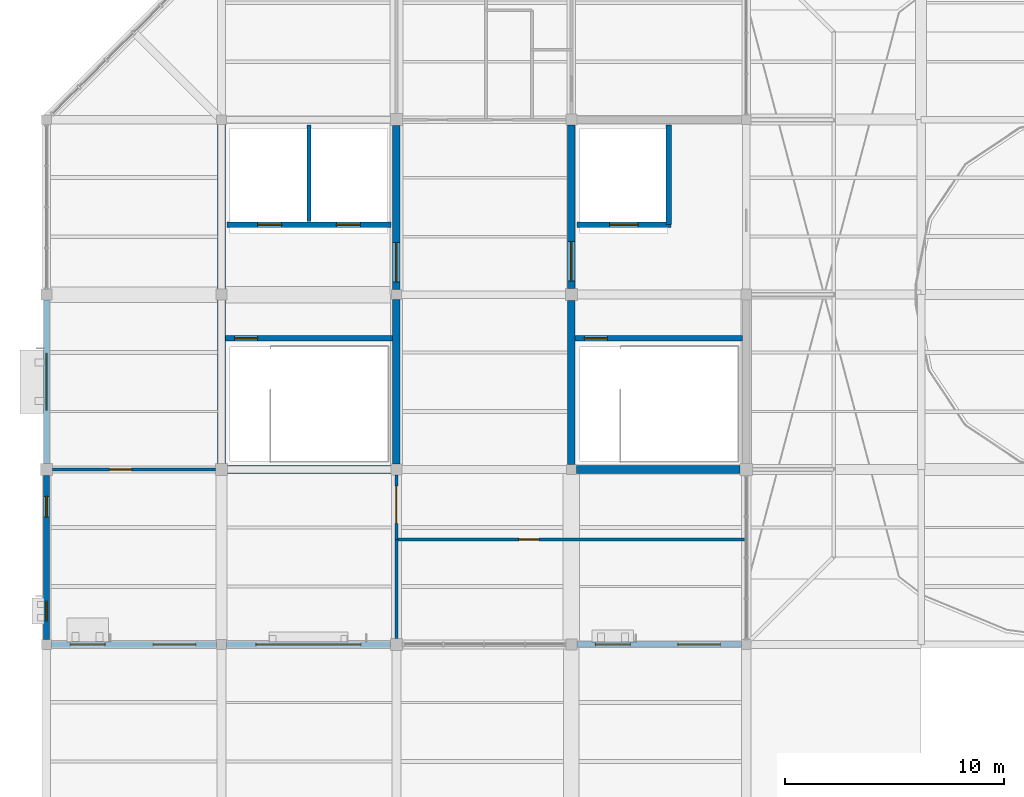
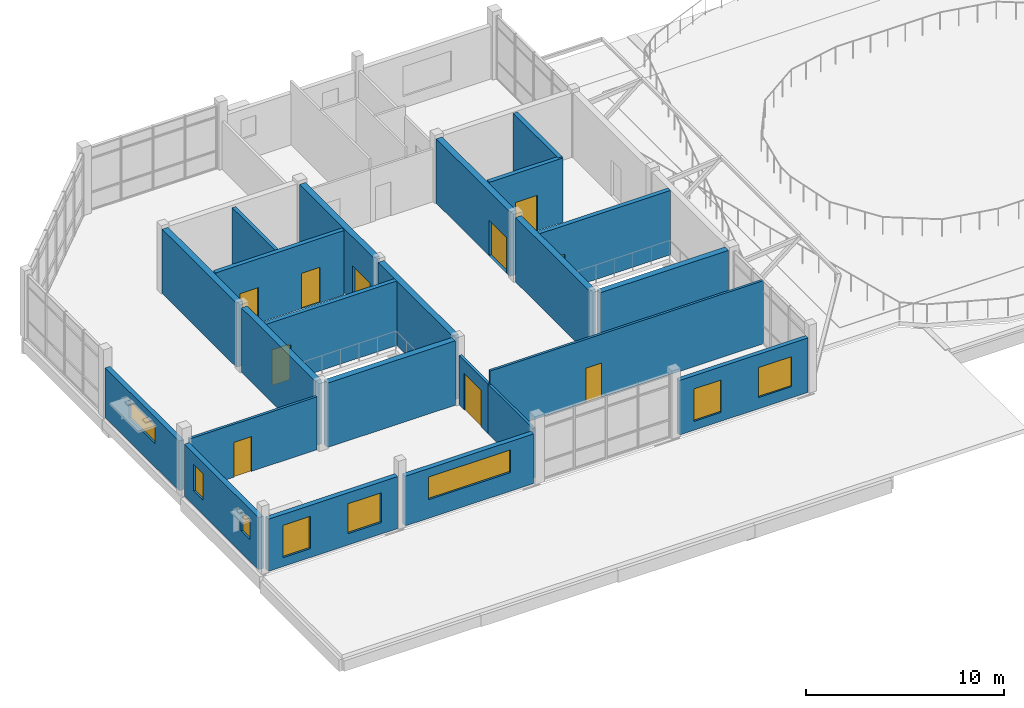
# One storey, part 39 of 44: 23 walls, 10 doors, 8 windows, 18 openings.
"""IFC4 building model written with IfcOpenShell, lengths in metres."""

from ifc_helpers import new_model, si_unit, direction, frame, frame_2d, origin, place, context, subcontext, project, spatial, rectangle, extrude, material, layer, layer_set, type_object, element, fill, save


model = new_model("IFC4")

# Units and contexts
model_context = context("Model", 3, precision=1e-05, world=origin(), true_north=direction((0.0, 1.0)))
body_context = subcontext(model_context, "Body", "Model", "MODEL_VIEW")
ifc_project = project(units=[si_unit("LENGTHUNIT", "METRE"), si_unit("AREAUNIT", "SQUARE_METRE"), si_unit("VOLUMEUNIT", "CUBIC_METRE"), si_unit("PLANEANGLEUNIT", "RADIAN"), si_unit("MASSUNIT", "GRAM", prefix="KILO")], contexts=[model_context])

# Site, building, storey
site_placement = place(None, origin())
site = spatial("IfcSite", under=ifc_project, at=site_placement, CompositionType="ELEMENT")
building_placement = place(site_placement, origin())
building = spatial("IfcBuilding", under=site, at=building_placement, Name="Tenunan Teduh Sports Hall", CompositionType="ELEMENT")
storey_placement = place(building_placement, frame((0.0, 0.0, 19.199951171875)))
storey = spatial("IfcBuildingStorey", under=building, at=storey_placement, Name="L04", CompositionType="ELEMENT", Elevation=19.199951171875)

# Wall, opening, door
ifc_material_1 = material(Name="Concrete C40/50", Category="concrete")
ifc_layer_1 = layer(ifc_material_1, 0.25)
ifc_layer_set_1 = layer_set([ifc_layer_1], Name="Concrete C40/50")
wall_type_1 = type_object("IfcWallType", Name="WL-COR-250", PredefinedType="SOLIDWALL", material=ifc_layer_set_1)
wall_1_placement = place(storey_placement, frame((14.175048828125, 100.0, 0.0), z_axis=(0.0, 0.0, 1.0), x_axis=(1.0, 0.0, 0.0)))
wall_1 = element("IfcWall", 1, at=wall_1_placement, inside=storey, type_object=wall_type_1, Name="WL-COR-L04-052", PredefinedType="SOLIDWALL", context=body_context, shape_type="SweptSolid", body=[
    extrude(rectangle(XDim=7.64990234375, YDim=0.25, at=frame_2d((3.824951171875, 0.0))), origin(), (0.0, 0.0, 1.0), 3.97998046875),
])
opening_1_placement = place(wall_1_placement, frame((0.425048828125, 0.0, 0.0)))
opening_1 = element("IfcOpeningElement", 2, at=opening_1_placement, cuts=wall_1, Name="Opening FD-02", PredefinedType="OPENING", context=body_context, shape_type="SweptSolid", body=[
    extrude(rectangle(XDim=1.050048828125, YDim=2.199951171875, at=frame_2d((0.52490234375, 1.10009765625))), frame((0.0, 0.135009765625, 0.0), z_axis=(0.0, -1.0, 0.0), x_axis=(1.0, 0.0, 0.0)), (0.0, 0.0, 1.0), 0.27001953125),
])
ifc_material_2 = material(Name="Fire-rated steel leaf and frame", Category="steel")
door_type_1 = type_object("IfcDoorType", Name="FDR-02", OperationType="SINGLE_SWING_RIGHT", PredefinedType="DOOR", material=ifc_material_2)
door_1_placement = place(opening_1_placement, frame((1.050048828125, 0.0, 0.0), z_axis=(0.0, 0.0, 1.0), x_axis=(-1.0, 0.0, 0.0)))
door_1 = element("IfcDoor", 3, at=door_1_placement, inside=storey, type_object=door_type_1, Name="DR-INT-L04-022", OperationType="SINGLE_SWING_RIGHT", OverallHeight=2.199951171875, OverallWidth=1.050048828125, PredefinedType="DOOR", context=body_context, shape_type="SweptSolid", body=[
    extrude(rectangle(XDim=1.050048828125, YDim=2.199951171875, at=frame_2d((0.52490234375, 1.10009765625))), frame((0.0, 0.02490234375, 0.0), z_axis=(0.0, -1.0, 0.0), x_axis=(1.0, 0.0, 0.0)), (0.0, 0.0, 1.0), 0.050048828125),
])
fill(opening_1, door_1)

# Wall, openings, doors
wall_2_placement = place(storey_placement, frame((14.25, 105.199951171875, 0.0), z_axis=(0.0, 0.0, 1.0), x_axis=(1.0, 0.0, 0.0)))
wall_2 = element("IfcWall", 4, at=wall_2_placement, inside=storey, type_object=wall_type_1, Name="WL-COR-L04-053", PredefinedType="SOLIDWALL", context=body_context, shape_type="SweptSolid", body=[
    extrude(rectangle(XDim=7.5, YDim=0.25, at=frame_2d((3.75, 0.0))), origin(), (0.0, 0.0, 1.0), 3.97998046875),
])
opening_2_placement = place(wall_2_placement, frame((1.39990234375, 0.0, 0.0)))
opening_2 = element("IfcOpeningElement", 5, at=opening_2_placement, cuts=wall_2, Name="Opening LD-1", PredefinedType="OPENING", context=body_context, shape_type="SweptSolid", body=[
    extrude(rectangle(XDim=1.10009765625, YDim=2.199951171875, at=frame_2d((0.550048828125, 1.10009765625))), frame((0.0, 0.135009765625, 0.0), z_axis=(0.0, -1.0, 0.0), x_axis=(1.0, 0.0, 0.0)), (0.0, 0.0, 1.0), 0.27001953125),
])
opening_3_placement = place(wall_2_placement, frame((5.0, 0.0, 0.0)))
opening_3 = element("IfcOpeningElement", 6, at=opening_3_placement, cuts=wall_2, Name="Opening LD-1", PredefinedType="OPENING", context=body_context, shape_type="SweptSolid", body=[
    extrude(rectangle(XDim=1.10009765625, YDim=2.199951171875, at=frame_2d((0.550048828125, 1.10009765625))), frame((0.0, 0.135009765625, 0.0), z_axis=(0.0, -1.0, 0.0), x_axis=(1.0, 0.0, 0.0)), (0.0, 0.0, 1.0), 0.27001953125),
])
ifc_material_3 = material(Name="Brushed stainless steel landing doors", Category="steel")
door_type_2 = type_object("IfcDoorType", Name="LDR-01", OperationType="DOUBLE_DOOR_SLIDING", PredefinedType="DOOR", material=ifc_material_3)
door_2_placement = place(opening_2_placement, origin())
door_2 = element("IfcDoor", 7, at=door_2_placement, inside=storey, type_object=door_type_2, Name="Lift Landing Door LD-11", OperationType="DOUBLE_DOOR_SLIDING", OverallHeight=2.199951171875, OverallWidth=1.10009765625, PredefinedType="DOOR", context=body_context, shape_type="SweptSolid", body=[
    extrude(rectangle(XDim=1.10009765625, YDim=2.199951171875, at=frame_2d((0.550048828125, 1.10009765625))), frame((0.0, 0.02490234375, 0.0), z_axis=(0.0, -1.0, 0.0), x_axis=(1.0, 0.0, 0.0)), (0.0, 0.0, 1.0), 0.050048828125),
])
fill(opening_2, door_2)
door_3_placement = place(opening_3_placement, origin())
door_3 = element("IfcDoor", 8, at=door_3_placement, inside=storey, type_object=door_type_2, Name="Lift Landing Door LD-12", OperationType="DOUBLE_DOOR_SLIDING", OverallHeight=2.199951171875, OverallWidth=1.10009765625, PredefinedType="DOOR", context=body_context, shape_type="SweptSolid", body=[
    extrude(rectangle(XDim=1.10009765625, YDim=2.199951171875, at=frame_2d((0.550048828125, 1.10009765625))), frame((0.0, 0.02490234375, 0.0), z_axis=(0.0, -1.0, 0.0), x_axis=(1.0, 0.0, 0.0)), (0.0, 0.0, 1.0), 0.050048828125),
])
fill(opening_3, door_3)

# Wall, opening, door
wall_3_placement = place(storey_placement, frame((30.175048828125, 100.0, 0.0), z_axis=(0.0, 0.0, 1.0), x_axis=(1.0, 0.0, 0.0)))
wall_3 = element("IfcWall", 9, at=wall_3_placement, inside=storey, type_object=wall_type_1, Name="WL-COR-L04-106", PredefinedType="SOLIDWALL", context=body_context, shape_type="SweptSolid", body=[
    extrude(rectangle(XDim=7.64990234375, YDim=0.25, at=frame_2d((3.824951171875, 0.0))), origin(), (0.0, 0.0, 1.0), 3.97998046875),
])
opening_4_placement = place(wall_3_placement, frame((0.425048828125, 0.0, 0.0)))
opening_4 = element("IfcOpeningElement", 10, at=opening_4_placement, cuts=wall_3, Name="Opening FD-02", PredefinedType="OPENING", context=body_context, shape_type="SweptSolid", body=[
    extrude(rectangle(XDim=1.050048828125, YDim=2.199951171875, at=frame_2d((0.52490234375, 1.10009765625))), frame((0.0, 0.135009765625, 0.0), z_axis=(0.0, -1.0, 0.0), x_axis=(1.0, 0.0, 0.0)), (0.0, 0.0, 1.0), 0.27001953125),
])
door_4_placement = place(opening_4_placement, frame((1.050048828125, 0.0, 0.0), z_axis=(0.0, 0.0, 1.0), x_axis=(-1.0, 0.0, 0.0)))
door_4 = element("IfcDoor", 11, at=door_4_placement, inside=storey, type_object=door_type_1, Name="DR-INT-L04-042", OperationType="SINGLE_SWING_RIGHT", OverallHeight=2.199951171875, OverallWidth=1.050048828125, PredefinedType="DOOR", context=body_context, shape_type="SweptSolid", body=[
    extrude(rectangle(XDim=1.050048828125, YDim=2.199951171875, at=frame_2d((0.52490234375, 1.10009765625))), frame((0.0, 0.02490234375, 0.0), z_axis=(0.0, -1.0, 0.0), x_axis=(1.0, 0.0, 0.0)), (0.0, 0.0, 1.0), 0.050048828125),
])
fill(opening_4, door_4)

wall_4_placement = place(storey_placement, frame((30.25, 105.199951171875, 0.0), z_axis=(0.0, 0.0, 1.0), x_axis=(1.0, 0.0, 0.0)))
wall_4 = element("IfcWall", 12, at=wall_4_placement, inside=storey, type_object=wall_type_1, Name="WL-COR-L04-107", PredefinedType="SOLIDWALL", context=body_context, shape_type="SweptSolid", body=[
    extrude(rectangle(XDim=4.300048828125, YDim=0.25, at=frame_2d((2.14990234375, 0.0))), origin(), (0.0, 0.0, 1.0), 3.97998046875),
])
opening_5_placement = place(wall_4_placement, frame((1.5, 0.0, 0.0)))
opening_5 = element("IfcOpeningElement", 13, at=opening_5_placement, cuts=wall_4, Name="Opening LD-2", PredefinedType="OPENING", context=body_context, shape_type="SweptSolid", body=[
    extrude(rectangle(XDim=1.300048828125, YDim=2.199951171875, at=frame_2d((0.64990234375, 1.10009765625))), frame((0.0, 0.135009765625, 0.0), z_axis=(0.0, -1.0, 0.0), x_axis=(1.0, 0.0, 0.0)), (0.0, 0.0, 1.0), 0.27001953125),
])
ifc_material_4 = material(Name="Fire-fighting lift stainless landing doors")
door_type_3 = type_object("IfcDoorType", Name="LDR-02", OperationType="DOUBLE_DOOR_SLIDING", PredefinedType="DOOR", material=ifc_material_4)
door_5_placement = place(opening_5_placement, origin())
door_5 = element("IfcDoor", 14, at=door_5_placement, inside=storey, type_object=door_type_3, Name="Lift Landing Door LD-18", OperationType="DOUBLE_DOOR_SLIDING", OverallHeight=2.199951171875, OverallWidth=1.300048828125, PredefinedType="DOOR", context=body_context, shape_type="SweptSolid", body=[
    extrude(rectangle(XDim=1.300048828125, YDim=2.199951171875, at=frame_2d((0.64990234375, 1.10009765625))), frame((0.0, 0.02490234375, 0.0), z_axis=(0.0, -1.0, 0.0), x_axis=(1.0, 0.0, 0.0)), (0.0, 0.0, 1.0), 0.050048828125),
])
fill(opening_5, door_5)

# Wall
wall_5_placement = place(storey_placement, frame((34.449951171875, 105.199951171875, 0.0), z_axis=(0.0, 0.0, 1.0), x_axis=(0.0, 1.0, 0.0)))
element("IfcWall", 15, at=wall_5_placement, inside=storey, type_object=wall_type_1, Name="WL-COR-L04-108", PredefinedType="SOLIDWALL", context=body_context, shape_type="SweptSolid", body=[
    extrude(rectangle(XDim=4.550048828125, YDim=0.25, at=frame_2d((2.27490234375, 0.0))), origin(), (0.0, 0.0, 1.0), 3.97998046875),
])

# Wall, openings, windows
ifc_material_5 = material(Name="Precast concrete C40/50", Category="concrete")
ifc_layer_2 = layer(ifc_material_5, 0.25)
ifc_layer_set_2 = layer_set([ifc_layer_2], Name="Precast concrete C40/50")
wall_type_2 = type_object("IfcWallType", Name="WL-EXT-250", PredefinedType="SOLIDWALL", material=ifc_layer_set_2)
wall_6_placement = place(storey_placement, frame((30.25, 86.0, 0.0), z_axis=(0.0, 0.0, 1.0), x_axis=(1.0, 0.0, 0.0)))
wall_6 = element("IfcWall", 16, at=wall_6_placement, inside=storey, type_object=wall_type_2, Name="WL-EXT-L04-210", PredefinedType="SOLIDWALL", context=body_context, shape_type="SweptSolid", body=[
    extrude(rectangle(XDim=7.52490234375, YDim=0.25, at=frame_2d((3.762451171875, 0.0))), origin(), (0.0, 0.0, 1.0), 3.3701171875),
])
opening_6_placement = place(wall_6_placement, frame((0.85009765625, 0.0, 0.550048828125)))
opening_6 = element("IfcOpeningElement", 17, at=opening_6_placement, cuts=wall_6, Name="Opening W-14", PredefinedType="OPENING", context=body_context, shape_type="SweptSolid", body=[
    extrude(rectangle(XDim=1.60009765625, YDim=2.0, at=frame_2d((0.800048828125, 1.0))), frame((0.0, 0.135009765625, 0.0), z_axis=(0.0, -1.0, 0.0), x_axis=(1.0, 0.0, 0.0)), (0.0, 0.0, 1.0), 0.27001953125),
])
opening_7_placement = place(wall_6_placement, frame((4.6201171875, 0.0, 0.699951171875)))
opening_7 = element("IfcOpeningElement", 18, at=opening_7_placement, cuts=wall_6, Name="Opening W-20", PredefinedType="OPENING", context=body_context, shape_type="SweptSolid", body=[
    extrude(rectangle(XDim=1.949951171875, YDim=1.85009765625, at=frame_2d((0.97509765625, 0.925048828125))), frame((0.0, 0.135009765625, 0.0), z_axis=(0.0, -1.0, 0.0), x_axis=(1.0, 0.0, 0.0)), (0.0, 0.0, 1.0), 0.27001953125),
])
ifc_material_6 = material(Name="Thermally broken aluminium and Low-E glazing", Category="aluminium")
window_type_1 = type_object("IfcWindowType", Name="WIN-14", PartitioningType="DOUBLE_PANEL_VERTICAL", PredefinedType="WINDOW", material=ifc_material_6)
window_1_placement = place(opening_6_placement, origin())
window_1 = element("IfcWindow", 19, at=window_1_placement, inside=storey, type_object=window_type_1, Name="WIN-L04-111", OverallHeight=2.0, OverallWidth=1.60009765625, PartitioningType="SINGLE_PANEL", PredefinedType="WINDOW", context=body_context, shape_type="SweptSolid", body=[
    extrude(rectangle(XDim=1.60009765625, YDim=2.0, at=frame_2d((0.800048828125, 1.0))), frame((0.0, 0.030029296875, 0.0), z_axis=(0.0, -1.0, 0.0), x_axis=(1.0, 0.0, 0.0)), (0.0, 0.0, 1.0), 0.06005859375),
])
fill(opening_6, window_1)
ifc_material_7 = material(Name="Thermally broken aluminium and Low-E glazing", Category="aluminium")
window_type_2 = type_object("IfcWindowType", Name="WIN-20", PartitioningType="DOUBLE_PANEL_VERTICAL", PredefinedType="WINDOW", material=ifc_material_7)
window_2_placement = place(opening_7_placement, origin())
window_2 = element("IfcWindow", 20, at=window_2_placement, inside=storey, type_object=window_type_2, Name="WIN-L04-112", OverallHeight=1.85009765625, OverallWidth=1.949951171875, PartitioningType="SINGLE_PANEL", PredefinedType="WINDOW", context=body_context, shape_type="SweptSolid", body=[
    extrude(rectangle(XDim=1.949951171875, YDim=1.85009765625, at=frame_2d((0.97509765625, 0.925048828125))), frame((0.0, 0.030029296875, 0.0), z_axis=(0.0, -1.0, 0.0), x_axis=(1.0, 0.0, 0.0)), (0.0, 0.0, 1.0), 0.06005859375),
])
fill(opening_7, window_2)

# Wall, opening, window
ifc_material_8 = material(Name="Concrete C40/50", Category="concrete")
ifc_layer_3 = layer(ifc_material_8, 0.280029296875)
ifc_layer_set_3 = layer_set([ifc_layer_3], Name="Concrete C40/50")
wall_type_3 = type_object("IfcWallType", Name="WL-EXT-280", PredefinedType="SOLIDWALL", material=ifc_layer_set_3)
wall_7_placement = place(storey_placement, frame((14.22509765625, 86.0, 0.0), z_axis=(0.0, 0.0, 1.0), x_axis=(1.0, 0.0, 0.0)))
wall_7 = element("IfcWall", 21, at=wall_7_placement, inside=storey, type_object=wall_type_3, Name="WL-EXT-L04-209", PredefinedType="SOLIDWALL", context=body_context, shape_type="SweptSolid", body=[
    extrude(rectangle(XDim=7.5, YDim=0.280029296875, at=frame_2d((3.75, 0.0))), origin(), (0.0, 0.0, 1.0), 3.070068359375),
])
opening_8_placement = place(wall_7_placement, frame((1.35009765625, 0.0, 1.14990234375)))
opening_8 = element("IfcOpeningElement", 22, at=opening_8_placement, cuts=wall_7, Name="Opening W-12", PredefinedType="OPENING", context=body_context, shape_type="SweptSolid", body=[
    extrude(rectangle(XDim=4.800048828125, YDim=1.39990234375, at=frame_2d((2.39990234375, 0.699951171875))), frame((0.0, 0.14990234375, 0.0), z_axis=(0.0, -1.0, 0.0), x_axis=(1.0, 0.0, 0.0)), (0.0, 0.0, 1.0), 0.300048828125),
])
ifc_material_9 = material(Name="Thermally broken aluminium and Low-E glazing", Category="aluminium")
window_type_3 = type_object("IfcWindowType", Name="WIN-12", PartitioningType="TRIPLE_PANEL_HORIZONTAL", PredefinedType="WINDOW", material=ifc_material_9)
window_3_placement = place(opening_8_placement, origin())
window_3 = element("IfcWindow", 23, at=window_3_placement, inside=storey, type_object=window_type_3, Name="WIN-L04-110", OverallHeight=1.39990234375, OverallWidth=4.800048828125, PartitioningType="SINGLE_PANEL", PredefinedType="WINDOW", context=body_context, shape_type="SweptSolid", body=[
    extrude(rectangle(XDim=4.800048828125, YDim=1.39990234375, at=frame_2d((2.39990234375, 0.699951171875))), frame((0.0, 0.030029296875, 0.0), z_axis=(0.0, -1.0, 0.0), x_axis=(1.0, 0.0, 0.0)), (0.0, 0.0, 1.0), 0.06005859375),
])
fill(opening_8, window_3)

wall_8_placement = place(storey_placement, frame((6.0, 94.27490234375, 0.0), z_axis=(0.0, 0.0, 1.0), x_axis=(0.0, 1.0, 0.0)))
wall_8 = element("IfcWall", 24, at=wall_8_placement, inside=storey, type_object=wall_type_3, Name="WL-EXT-L04-214", PredefinedType="SOLIDWALL", context=body_context, shape_type="SweptSolid", body=[
    extrude(rectangle(XDim=7.47509765625, YDim=0.280029296875, at=frame_2d((3.737548828125, 0.0))), origin(), (0.0, 0.0, 1.0), 3.070068359375),
])
opening_9_placement = place(wall_8_placement, frame((2.43994140625, 0.0, 1.449951171875)))
opening_9 = element("IfcOpeningElement", 25, at=opening_9_placement, cuts=wall_8, Name="Opening W-16", PredefinedType="OPENING", context=body_context, shape_type="SweptSolid", body=[
    extrude(rectangle(XDim=2.60009765625, YDim=1.10009765625, at=frame_2d((1.300048828125, 0.550048828125))), frame((0.0, 0.14990234375, 0.0), z_axis=(0.0, -1.0, 0.0), x_axis=(1.0, 0.0, 0.0)), (0.0, 0.0, 1.0), 0.300048828125),
])
ifc_material_10 = material(Name="Thermally broken aluminium and Low-E glazing", Category="aluminium")
window_type_4 = type_object("IfcWindowType", Name="WIN-16", PartitioningType="DOUBLE_PANEL_HORIZONTAL", PredefinedType="WINDOW", material=ifc_material_10)
window_4_placement = place(opening_9_placement, origin())
window_4 = element("IfcWindow", 26, at=window_4_placement, inside=storey, type_object=window_type_4, Name="WIN-L04-118", OverallHeight=1.10009765625, OverallWidth=2.60009765625, PartitioningType="SINGLE_PANEL", PredefinedType="WINDOW", context=body_context, shape_type="SweptSolid", body=[
    extrude(rectangle(XDim=2.60009765625, YDim=1.10009765625, at=frame_2d((1.300048828125, 0.550048828125))), frame((0.0, 0.030029296875, 0.0), z_axis=(0.0, -1.0, 0.0), x_axis=(1.0, 0.0, 0.0)), (0.0, 0.0, 1.0), 0.06005859375),
])
fill(opening_9, window_4)

# Wall, openings, windows
ifc_material_11 = material(Name="Concrete C40/50", Category="concrete")
ifc_layer_4 = layer(ifc_material_11, 0.2900390625)
ifc_layer_set_4 = layer_set([ifc_layer_4], Name="Concrete C40/50")
wall_type_4 = type_object("IfcWallType", Name="WL-EXT-290", PredefinedType="SOLIDWALL", material=ifc_layer_set_4)
wall_9_placement = place(storey_placement, frame((6.22509765625, 86.0, 0.0), z_axis=(0.0, 0.0, 1.0), x_axis=(1.0, 0.0, 0.0)))
wall_9 = element("IfcWall", 27, at=wall_9_placement, inside=storey, type_object=wall_type_4, Name="WL-EXT-L04-208", PredefinedType="SOLIDWALL", context=body_context, shape_type="SweptSolid", body=[
    extrude(rectangle(XDim=7.5498046875, YDim=0.2900390625, at=frame_2d((3.77490234375, 0.0))), origin(), (0.0, 0.0, 1.0), 3.219970703125),
])
opening_10_placement = place(wall_9_placement, frame((0.85009765625, 0.0, 0.550048828125)))
opening_10 = element("IfcOpeningElement", 28, at=opening_10_placement, cuts=wall_9, Name="Opening W-14", PredefinedType="OPENING", context=body_context, shape_type="SweptSolid", body=[
    extrude(rectangle(XDim=1.60009765625, YDim=2.0, at=frame_2d((0.800048828125, 1.0))), frame((0.0, 0.155029296875, 0.0), z_axis=(0.0, -1.0, 0.0), x_axis=(1.0, 0.0, 0.0)), (0.0, 0.0, 1.0), 0.31005859375),
])
opening_11_placement = place(wall_9_placement, frame((4.64990234375, 0.0, 0.699951171875)))
opening_11 = element("IfcOpeningElement", 29, at=opening_11_placement, cuts=wall_9, Name="Opening W-20", PredefinedType="OPENING", context=body_context, shape_type="SweptSolid", body=[
    extrude(rectangle(XDim=1.949951171875, YDim=1.85009765625, at=frame_2d((0.97509765625, 0.925048828125))), frame((0.0, 0.155029296875, 0.0), z_axis=(0.0, -1.0, 0.0), x_axis=(1.0, 0.0, 0.0)), (0.0, 0.0, 1.0), 0.31005859375),
])
window_5_placement = place(opening_10_placement, origin())
window_5 = element("IfcWindow", 30, at=window_5_placement, inside=storey, type_object=window_type_1, Name="WIN-L04-108", OverallHeight=2.0, OverallWidth=1.60009765625, PartitioningType="SINGLE_PANEL", PredefinedType="WINDOW", context=body_context, shape_type="SweptSolid", body=[
    extrude(rectangle(XDim=1.60009765625, YDim=2.0, at=frame_2d((0.800048828125, 1.0))), frame((0.0, 0.030029296875, 0.0), z_axis=(0.0, -1.0, 0.0), x_axis=(1.0, 0.0, 0.0)), (0.0, 0.0, 1.0), 0.06005859375),
])
fill(opening_10, window_5)
window_6_placement = place(opening_11_placement, origin())
window_6 = element("IfcWindow", 31, at=window_6_placement, inside=storey, type_object=window_type_2, Name="WIN-L04-109", OverallHeight=1.85009765625, OverallWidth=1.949951171875, PartitioningType="SINGLE_PANEL", PredefinedType="WINDOW", context=body_context, shape_type="SweptSolid", body=[
    extrude(rectangle(XDim=1.949951171875, YDim=1.85009765625, at=frame_2d((0.97509765625, 0.925048828125))), frame((0.0, 0.030029296875, 0.0), z_axis=(0.0, -1.0, 0.0), x_axis=(1.0, 0.0, 0.0)), (0.0, 0.0, 1.0), 0.06005859375),
])
fill(opening_11, window_6)

wall_10_placement = place(storey_placement, frame((6.0, 86.22509765625, 0.0), z_axis=(0.0, 0.0, 1.0), x_axis=(0.0, 1.0, 0.0)))
wall_10 = element("IfcWall", 32, at=wall_10_placement, inside=storey, type_object=wall_type_4, Name="WL-EXT-L04-213", PredefinedType="SOLIDWALL", context=body_context, shape_type="SweptSolid", body=[
    extrude(rectangle(XDim=7.5, YDim=0.2900390625, at=frame_2d((3.75, 0.0))), origin(), (0.0, 0.0, 1.0), 3.219970703125),
])
opening_12_placement = place(wall_10_placement, frame((0.85009765625, 0.0, 1.35009765625)))
opening_12 = element("IfcOpeningElement", 33, at=opening_12_placement, cuts=wall_10, Name="Opening W-08", PredefinedType="OPENING", context=body_context, shape_type="SweptSolid", body=[
    extrude(rectangle(XDim=0.89990234375, YDim=1.199951171875, at=frame_2d((0.449951171875, 0.60009765625))), frame((0.0, 0.155029296875, 0.0), z_axis=(0.0, -1.0, 0.0), x_axis=(1.0, 0.0, 0.0)), (0.0, 0.0, 1.0), 0.31005859375),
])
opening_13_placement = place(wall_10_placement, frame((5.60009765625, 0.0, 0.89990234375)))
opening_13 = element("IfcOpeningElement", 34, at=opening_13_placement, cuts=wall_10, Name="Opening W-17", PredefinedType="OPENING", context=body_context, shape_type="SweptSolid", body=[
    extrude(rectangle(XDim=0.949951171875, YDim=1.64990234375, at=frame_2d((0.47509765625, 0.824951171875))), frame((0.0, 0.155029296875, 0.0), z_axis=(0.0, -1.0, 0.0), x_axis=(1.0, 0.0, 0.0)), (0.0, 0.0, 1.0), 0.31005859375),
])
ifc_material_12 = material(Name="Thermally broken aluminium and Low-E glazing", Category="aluminium")
window_type_5 = type_object("IfcWindowType", Name="WIN-08", PartitioningType="SINGLE_PANEL", PredefinedType="WINDOW", material=ifc_material_12)
window_7_placement = place(opening_12_placement, origin())
window_7 = element("IfcWindow", 35, at=window_7_placement, inside=storey, type_object=window_type_5, Name="WIN-L04-116", OverallHeight=1.199951171875, OverallWidth=0.89990234375, PartitioningType="SINGLE_PANEL", PredefinedType="WINDOW", context=body_context, shape_type="SweptSolid", body=[
    extrude(rectangle(XDim=0.89990234375, YDim=1.199951171875, at=frame_2d((0.449951171875, 0.60009765625))), frame((0.0, 0.030029296875, 0.0), z_axis=(0.0, -1.0, 0.0), x_axis=(1.0, 0.0, 0.0)), (0.0, 0.0, 1.0), 0.06005859375),
])
fill(opening_12, window_7)
ifc_material_13 = material(Name="Thermally broken aluminium and Low-E glazing", Category="aluminium")
window_type_6 = type_object("IfcWindowType", Name="WIN-17", PartitioningType="SINGLE_PANEL", PredefinedType="WINDOW", material=ifc_material_13)
window_8_placement = place(opening_13_placement, origin())
window_8 = element("IfcWindow", 36, at=window_8_placement, inside=storey, type_object=window_type_6, Name="WIN-L04-117", OverallHeight=1.64990234375, OverallWidth=0.949951171875, PartitioningType="SINGLE_PANEL", PredefinedType="WINDOW", context=body_context, shape_type="SweptSolid", body=[
    extrude(rectangle(XDim=0.949951171875, YDim=1.64990234375, at=frame_2d((0.47509765625, 0.824951171875))), frame((0.0, 0.030029296875, 0.0), z_axis=(0.0, -1.0, 0.0), x_axis=(1.0, 0.0, 0.0)), (0.0, 0.0, 1.0), 0.06005859375),
])
fill(opening_13, window_8)

# Wall, opening, door
ifc_material_14 = material(Name="Acoustic stud and fireboard")
ifc_layer_5 = layer(ifc_material_14, 0.139892578125)
ifc_layer_set_5 = layer_set([ifc_layer_5], Name="Acoustic stud and fireboard")
wall_type_5 = type_object("IfcWallType", Name="WL-PRT-140", PredefinedType="PARTITIONING", material=ifc_layer_set_5)
wall_11_placement = place(storey_placement, frame((22.0, 90.800048828125, 0.0), z_axis=(0.0, 0.0, 1.0), x_axis=(1.0, 0.0, 0.0)))
wall_11 = element("IfcWall", 37, at=wall_11_placement, inside=storey, type_object=wall_type_5, Name="WL-PRT-L04-469", PredefinedType="PARTITIONING", context=body_context, shape_type="SweptSolid", body=[
    extrude(rectangle(XDim=16.0, YDim=0.139892578125, at=frame_2d((8.0, 0.0))), origin(), (0.0, 0.0, 1.0), 3.900146484375),
])
opening_14_placement = place(wall_11_placement, frame((5.60009765625, 0.0, 0.0)))
opening_14 = element("IfcOpeningElement", 38, at=opening_14_placement, cuts=wall_11, Name="Opening ID-08", PredefinedType="OPENING", context=body_context, shape_type="SweptSolid", body=[
    extrude(rectangle(XDim=0.919921875, YDim=2.1201171875, at=frame_2d((0.4599609375, 1.06005859375))), frame((0.0, 0.079833984375, 0.0), z_axis=(0.0, -1.0, 0.0), x_axis=(1.0, 0.0, 0.0)), (0.0, 0.0, 1.0), 0.159912109375),
])
ifc_material_15 = material(Name="Acoustic office timber leaf", Category="wood")
door_type_4 = type_object("IfcDoorType", Name="IDR-08", OperationType="SINGLE_SWING_LEFT", PredefinedType="DOOR", material=ifc_material_15)
door_6_placement = place(opening_14_placement, frame((0.919921875, 0.0, 0.0), z_axis=(0.0, 0.0, 1.0), x_axis=(-1.0, 0.0, 0.0)))
door_6 = element("IfcDoor", 39, at=door_6_placement, inside=storey, type_object=door_type_4, Name="DR-INT-L04-183", OperationType="SINGLE_SWING_RIGHT", OverallHeight=2.1201171875, OverallWidth=0.919921875, PredefinedType="DOOR", context=body_context, shape_type="SweptSolid", body=[
    extrude(rectangle(XDim=0.919921875, YDim=2.1201171875, at=frame_2d((0.4599609375, 1.06005859375))), frame((0.0, 0.02490234375, 0.0), z_axis=(0.0, -1.0, 0.0), x_axis=(1.0, 0.0, 0.0)), (0.0, 0.0, 1.0), 0.050048828125),
])
fill(opening_14, door_6)

ifc_material_16 = material(Name="Acoustic stud and double plasterboard")
ifc_layer_6 = layer(ifc_material_16, 0.14990234375)
ifc_layer_set_6 = layer_set([ifc_layer_6], Name="Acoustic stud and double plasterboard")
wall_type_6 = type_object("IfcWallType", Name="WL-PRT-150", PredefinedType="PARTITIONING", material=ifc_layer_set_6)
wall_12_placement = place(storey_placement, frame((6.27490234375, 94.0, 0.0), z_axis=(0.0, 0.0, 1.0), x_axis=(1.0, 0.0, 0.0)))
wall_12 = element("IfcWall", 40, at=wall_12_placement, inside=storey, type_object=wall_type_6, Name="WL-PRT-L04-466", PredefinedType="PARTITIONING", context=body_context, shape_type="SweptSolid", body=[
    extrude(rectangle(XDim=7.4501953125, YDim=0.14990234375, at=frame_2d((3.72509765625, 0.0))), origin(), (0.0, 0.0, 1.0), 3.27001953125),
])
opening_15_placement = place(wall_12_placement, frame((2.610107421875, 0.0, 0.0)))
opening_15 = element("IfcOpeningElement", 41, at=opening_15_placement, cuts=wall_12, Name="Opening ID-03", PredefinedType="OPENING", context=body_context, shape_type="SweptSolid", body=[
    extrude(rectangle(XDim=1.0, YDim=2.14990234375, at=frame_2d((0.5, 1.074951171875))), frame((0.0, 0.0849609375, 0.0), z_axis=(0.0, -1.0, 0.0), x_axis=(1.0, 0.0, 0.0)), (0.0, 0.0, 1.0), 0.169921875),
])
ifc_material_17 = material(Name="Accessible wide HPL leaf")
door_type_5 = type_object("IfcDoorType", Name="IDR-03", OperationType="SINGLE_SWING_LEFT", PredefinedType="DOOR", material=ifc_material_17)
door_7_placement = place(opening_15_placement, frame((1.0, 0.0, 0.0), z_axis=(0.0, 0.0, 1.0), x_axis=(-1.0, 0.0, 0.0)))
door_7 = element("IfcDoor", 42, at=door_7_placement, inside=storey, type_object=door_type_5, Name="DR-INT-L04-181", OperationType="SINGLE_SWING_RIGHT", OverallHeight=2.14990234375, OverallWidth=1.0, PredefinedType="DOOR", context=body_context, shape_type="SweptSolid", body=[
    extrude(rectangle(XDim=1.0, YDim=2.14990234375, at=frame_2d((0.5, 1.074951171875))), frame((0.0, 0.02490234375, 0.0), z_axis=(0.0, -1.0, 0.0), x_axis=(1.0, 0.0, 0.0)), (0.0, 0.0, 1.0), 0.050048828125),
])
fill(opening_15, door_7)

# Wall
wall_13_placement = place(storey_placement, frame((22.0, 86.27490234375, 0.0), z_axis=(0.0, 0.0, 1.0), x_axis=(0.0, 1.0, 0.0)))
element("IfcWall", 43, at=wall_13_placement, inside=storey, type_object=wall_type_6, Name="WL-PRT-L04-467", PredefinedType="PARTITIONING", context=body_context, shape_type="SweptSolid", body=[
    extrude(rectangle(XDim=4.525146484375, YDim=0.14990234375, at=frame_2d((2.2626953125, 0.0))), origin(), (0.0, 0.0, 1.0), 3.070068359375),
])

# Wall, opening, door
wall_14_placement = place(storey_placement, frame((22.0, 90.800048828125, 0.0), z_axis=(0.0, 0.0, 1.0), x_axis=(0.0, 1.0, 0.0)))
wall_14 = element("IfcWall", 44, at=wall_14_placement, inside=storey, type_object=wall_type_6, Name="WL-PRT-L04-468", PredefinedType="PARTITIONING", context=body_context, shape_type="SweptSolid", body=[
    extrude(rectangle(XDim=2.949951171875, YDim=0.14990234375, at=frame_2d((1.47509765625, 0.0))), origin(), (0.0, 0.0, 1.0), 3.070068359375),
])
opening_16_placement = place(wall_14_placement, frame((0.739990234375, 0.0, 0.0)))
opening_16 = element("IfcOpeningElement", 45, at=opening_16_placement, cuts=wall_14, Name="Opening ID-05", PredefinedType="OPENING", context=body_context, shape_type="SweptSolid", body=[
    extrude(rectangle(XDim=1.699951171875, YDim=2.25, at=frame_2d((0.85009765625, 1.125))), frame((0.0, 0.0849609375, 0.0), z_axis=(0.0, -1.0, 0.0), x_axis=(1.0, 0.0, 0.0)), (0.0, 0.0, 1.0), 0.169921875),
])
ifc_material_18 = material(Name="Glazed concourse pair")
door_type_6 = type_object("IfcDoorType", Name="IDR-05", OperationType="DOUBLE_DOOR_SINGLE_SWING", PredefinedType="DOOR", material=ifc_material_18)
door_8_placement = place(opening_16_placement, frame((1.699951171875, 0.0, 0.0), z_axis=(0.0, 0.0, 1.0), x_axis=(-1.0, 0.0, 0.0)))
door_8 = element("IfcDoor", 46, at=door_8_placement, inside=storey, type_object=door_type_6, Name="DR-INT-L04-182", OperationType="DOUBLE_DOOR_SINGLE_SWING", OverallHeight=2.25, OverallWidth=1.699951171875, PredefinedType="DOOR", context=body_context, shape_type="SweptSolid", body=[
    extrude(rectangle(XDim=1.699951171875, YDim=2.25, at=frame_2d((0.85009765625, 1.125))), frame((0.0, 0.02490234375, 0.0), z_axis=(0.0, -1.0, 0.0), x_axis=(1.0, 0.0, 0.0)), (0.0, 0.0, 1.0), 0.050048828125),
])
fill(opening_16, door_8)

# Walls
ifc_material_19 = material(Name="Autoclaved aerated concrete blockwork", Category="masonry")
ifc_layer_7 = layer(ifc_material_19, 0.199951171875)
ifc_layer_set_7 = layer_set([ifc_layer_7], Name="Autoclaved aerated concrete blockwork")
wall_type_7 = type_object("IfcWallType", Name="WL-PRT-200", PredefinedType="PARTITIONING", material=ifc_layer_set_7)
wall_15_placement = place(storey_placement, frame((18.0, 105.35009765625, 0.0), z_axis=(0.0, 0.0, 1.0), x_axis=(0.0, 1.0, 0.0)))
element("IfcWall", 47, at=wall_15_placement, inside=storey, type_object=wall_type_7, Name="WL-PRT-L04-054", PredefinedType="PARTITIONING", context=body_context, shape_type="SweptSolid", body=[
    extrude(rectangle(XDim=4.39990234375, YDim=0.199951171875, at=frame_2d((2.199951171875, 0.0))), origin(), (0.0, 0.0, 1.0), 3.900146484375),
])
ifc_material_20 = material(Name="Concrete C40/50", Category="concrete")
ifc_layer_8 = layer(ifc_material_20, 0.35009765625)
ifc_layer_set_8 = layer_set([ifc_layer_8], Name="Concrete C40/50")
wall_type_8 = type_object("IfcWallType", Name="WL-SHR-350", PredefinedType="SHEAR", material=ifc_layer_set_8)
for number, where, z_axis, x_axis, name in (
    (48, (14.27490234375, 94.0, 0.0), (0.0, 0.0, 1.0), (1.0, 0.0, 0.0), "WL-COR-L04-046"),
    (49, (14.0, 94.27490234375, 0.0), (0.0, 0.0, 1.0), (0.0, 1.0, 0.0), "WL-COR-L04-048"),
):
    element("IfcWall", number, at=place(storey_placement, frame(where, z_axis=z_axis, x_axis=x_axis)), inside=storey, type_object=wall_type_8, Name=name, PredefinedType="SHEAR", context=body_context, shape_type="SweptSolid", body=[
        extrude(rectangle(XDim=7.47509765625, YDim=0.35009765625, at=frame_2d((3.737548828125, 0.0))), origin(), (0.0, 0.0, 1.0), 3.97998046875),
    ])
for number, where, z_axis, x_axis, name in (
    (50, (14.0, 102.25, 0.0), (0.0, 0.0, 1.0), (0.0, 1.0, 0.0), "WL-COR-L04-049"),
    (51, (22.0, 94.25, 0.0), (0.0, 0.0, 1.0), (0.0, 1.0, 0.0), "WL-COR-L04-050"),
):
    element("IfcWall", number, at=place(storey_placement, frame(where, z_axis=z_axis, x_axis=x_axis)), inside=storey, type_object=wall_type_8, Name=name, PredefinedType="SHEAR", context=body_context, shape_type="SweptSolid", body=[
        extrude(rectangle(XDim=7.52490234375, YDim=0.35009765625, at=frame_2d((3.762451171875, 0.0))), origin(), (0.0, 0.0, 1.0), 3.97998046875),
    ])

# Wall, opening, door
wall_16_placement = place(storey_placement, frame((22.0, 102.22509765625, 0.0), z_axis=(0.0, 0.0, 1.0), x_axis=(0.0, 1.0, 0.0)))
wall_16 = element("IfcWall", 52, at=wall_16_placement, inside=storey, type_object=wall_type_8, Name="WL-COR-L04-051", PredefinedType="SHEAR", context=body_context, shape_type="SweptSolid", body=[
    extrude(rectangle(XDim=7.5, YDim=0.35009765625, at=frame_2d((3.75, 0.0))), origin(), (0.0, 0.0, 1.0), 3.97998046875),
])
opening_17_placement = place(wall_16_placement, frame((0.35009765625, 0.0, 0.0)))
opening_17 = element("IfcOpeningElement", 53, at=opening_17_placement, cuts=wall_16, Name="Opening FD-03", PredefinedType="OPENING", context=body_context, shape_type="SweptSolid", body=[
    extrude(rectangle(XDim=1.800048828125, YDim=2.199951171875, at=frame_2d((0.89990234375, 1.10009765625))), frame((0.0, 0.18505859375, 0.0), z_axis=(0.0, -1.0, 0.0), x_axis=(1.0, 0.0, 0.0)), (0.0, 0.0, 1.0), 0.3701171875),
])
ifc_material_21 = material(Name="Fire-rated hardwood pair", Category="wood")
door_type_7 = type_object("IfcDoorType", Name="FDR-03", OperationType="DOUBLE_DOOR_SINGLE_SWING", PredefinedType="DOOR", material=ifc_material_21)
door_9_placement = place(opening_17_placement, frame((1.800048828125, 0.0, 0.0), z_axis=(0.0, 0.0, 1.0), x_axis=(-1.0, 0.0, 0.0)))
door_9 = element("IfcDoor", 54, at=door_9_placement, inside=storey, type_object=door_type_7, Name="DR-INT-L04-021", OperationType="DOUBLE_DOOR_SINGLE_SWING", OverallHeight=2.199951171875, OverallWidth=1.800048828125, PredefinedType="DOOR", context=body_context, shape_type="SweptSolid", body=[
    extrude(rectangle(XDim=1.800048828125, YDim=2.199951171875, at=frame_2d((0.89990234375, 1.10009765625))), frame((0.0, 0.02490234375, 0.0), z_axis=(0.0, -1.0, 0.0), x_axis=(1.0, 0.0, 0.0)), (0.0, 0.0, 1.0), 0.050048828125),
])
fill(opening_17, door_9)

# Walls
for number, where, z_axis, x_axis, name in (
    (55, (30.22509765625, 94.0, 0.0), (0.0, 0.0, 1.0), (1.0, 0.0, 0.0), "WL-COR-L04-100"),
    (56, (30.0, 94.22509765625, 0.0), (0.0, 0.0, 1.0), (0.0, 1.0, 0.0), "WL-COR-L04-102"),
):
    element("IfcWall", number, at=place(storey_placement, frame(where, z_axis=z_axis, x_axis=x_axis)), inside=storey, type_object=wall_type_8, Name=name, PredefinedType="SHEAR", context=body_context, shape_type="SweptSolid", body=[
        extrude(rectangle(XDim=7.5, YDim=0.35009765625, at=frame_2d((3.75, 0.0))), origin(), (0.0, 0.0, 1.0), 3.97998046875),
    ])

# Wall, opening, door
wall_17_placement = place(storey_placement, frame((30.0, 102.27490234375, 0.0), z_axis=(0.0, 0.0, 1.0), x_axis=(0.0, 1.0, 0.0)))
wall_17 = element("IfcWall", 57, at=wall_17_placement, inside=storey, type_object=wall_type_8, Name="WL-COR-L04-103", PredefinedType="SHEAR", context=body_context, shape_type="SweptSolid", body=[
    extrude(rectangle(XDim=7.47509765625, YDim=0.35009765625, at=frame_2d((3.737548828125, 0.0))), origin(), (0.0, 0.0, 1.0), 3.97998046875),
])
opening_18_placement = place(wall_17_placement, frame((0.35009765625, 0.0, 0.0)))
opening_18 = element("IfcOpeningElement", 58, at=opening_18_placement, cuts=wall_17, Name="Opening FD-03", PredefinedType="OPENING", context=body_context, shape_type="SweptSolid", body=[
    extrude(rectangle(XDim=1.800048828125, YDim=2.199951171875, at=frame_2d((0.89990234375, 1.10009765625))), frame((0.0, 0.18505859375, 0.0), z_axis=(0.0, -1.0, 0.0), x_axis=(1.0, 0.0, 0.0)), (0.0, 0.0, 1.0), 0.3701171875),
])
door_10_placement = place(opening_18_placement, origin())
door_10 = element("IfcDoor", 59, at=door_10_placement, inside=storey, type_object=door_type_7, Name="DR-INT-L04-040", OperationType="DOUBLE_DOOR_SINGLE_SWING", OverallHeight=2.199951171875, OverallWidth=1.800048828125, PredefinedType="DOOR", context=body_context, shape_type="SweptSolid", body=[
    extrude(rectangle(XDim=1.800048828125, YDim=2.199951171875, at=frame_2d((0.89990234375, 1.10009765625))), frame((0.0, 0.02490234375, 0.0), z_axis=(0.0, -1.0, 0.0), x_axis=(1.0, 0.0, 0.0)), (0.0, 0.0, 1.0), 0.050048828125),
])
fill(opening_18, door_10)

save(model, "model.ifc")
